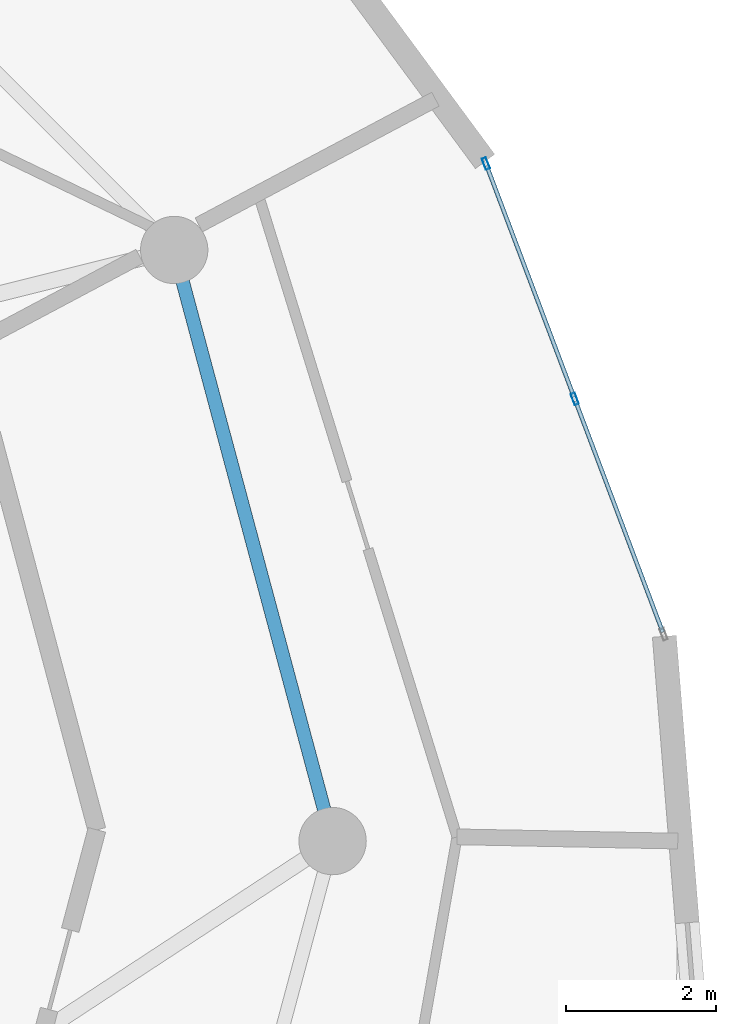
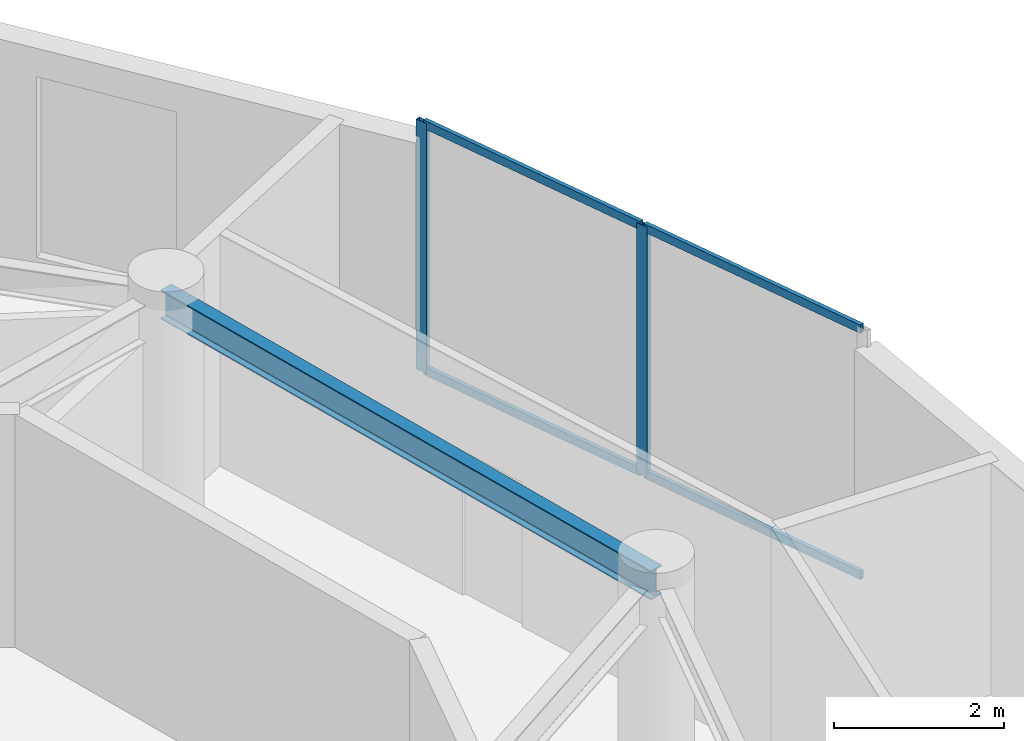
# One storey, part 12 of 20: 6 members, 1 beam, 1 element without a shape of its own.
"""IFC4 building model written with IfcOpenShell, lengths in metres."""

from ifc_helpers import new_model, si_unit, direction, frame, origin, origin_2d, place, context, subcontext, project, spatial, hollow_rectangle, i_section, extrude, source, transform, mapped, material, layer, layer_set, material_profile, profile_set, type_object, element, aggregate, save


model = new_model("IFC4")

# Units and contexts
model_context = context("Model", 3, precision=1e-05, world=origin(), true_north=direction((0.0, 1.0)))
body_context = subcontext(model_context, "Body", "Model", "MODEL_VIEW")
ifc_project = project(units=[si_unit("LENGTHUNIT", "METRE"), si_unit("AREAUNIT", "SQUARE_METRE"), si_unit("VOLUMEUNIT", "CUBIC_METRE"), si_unit("PLANEANGLEUNIT", "RADIAN"), si_unit("MASSUNIT", "GRAM", prefix="KILO")], contexts=[model_context])

# Site, building, storey
site_placement = place(None, origin())
site = spatial("IfcSite", under=ifc_project, at=site_placement, CompositionType="ELEMENT")
building_placement = place(site_placement, origin())
building = spatial("IfcBuilding", under=site, at=building_placement, Name="Solvirekh Grand Hotel", CompositionType="ELEMENT")
storey_placement = place(building_placement, frame((0.0, 0.0, 194.800048828125)))
storey = spatial("IfcBuildingStorey", under=building, at=storey_placement, Name="L50", CompositionType="ELEMENT", Elevation=194.800048828125)

# Beam
ifc_material_1 = material(Name="Steel S355", Category="steel")
ifc_material_profile_1 = material_profile(ifc_material_1, i_section(OverallWidth=0.180908203125, OverallDepth=0.4169921875, WebThickness=0.010009765625, FlangeThickness=0.01611328125, FilletRadius=0.011962890625, at=origin_2d()), Name="W410X85")
ifc_profile_set_1 = profile_set([ifc_material_profile_1], Name="Steel S355")
beam_type = type_object("IfcBeamType", Name="Spandrel_Ring_W410", PredefinedType="SPANDREL", material=ifc_profile_set_1)
beam_placement = place(storey_placement, frame((15.800048828125, 0.0, 3.15185546875), z_axis=(-0.258838541915, 0.965920601923, 0.0), x_axis=(-0.965920601923, -0.258838541915, 0.0)))
element("IfcBeam", 1, at=beam_placement, inside=storey, type_object=beam_type, Name="L50 perimeter spandrel beam 1", PredefinedType="SPANDREL", context=body_context, shape_type="SweptSolid", body=[
    extrude(i_section(OverallWidth=0.180908203125, OverallDepth=0.4169921875, WebThickness=0.010009765625, FlangeThickness=0.01611328125, FilletRadius=0.011962890625, at=origin_2d()), origin(), (0.0, 0.0, 1.0), 8.1787109375),
])

# Curtain wall, members
ifc_material_2 = material(Name="Anodized Bronze Aluminium 6063-T6", Category="aluminium")
ifc_layer = layer(ifc_material_2, 0.159912109375)
ifc_layer_set = layer_set([ifc_layer], Name="Anodized Bronze Aluminium 6063-T6")
curtain_wall_type = type_object("IfcCurtainWallType", Name="CW_Sys4_HighZoneFlushBronzeCW", PredefinedType="NOTDEFINED", material=ifc_layer_set)
curtain_wall_placement = place(storey_placement, origin())
curtain_wall = element("IfcCurtainWall", 2, at=curtain_wall_placement, inside=storey, type_object=curtain_wall_type, Name="L50 unitised bronze-glass curtain wall CW-L50-C05", PredefinedType="NOTDEFINED")
ifc_material_profile_2 = material_profile(ifc_material_2, hollow_rectangle(XDim=0.06005859375, YDim=0.159912109375, WallThickness=0.0048828125, at=origin_2d()), Name="ALU RHS 160X60X5")
ifc_profile_set_2 = profile_set([ifc_material_profile_2], Name="Anodized Bronze Aluminium 6063-T6")
member_type_1 = type_object("IfcMemberType", Name="CWMullion_Sys4", PredefinedType="MULLION", material=ifc_profile_set_2)
shared_shape_1 = source(origin(), body_context, "Body", "SweptSolid", [
    extrude(hollow_rectangle(XDim=0.06005859375, YDim=0.159912109375, WallThickness=0.0048828125, at=origin_2d()), origin(), (0.0, 0.0, 1.0), 3.599853515625),
])
member_1_placement = place(storey_placement, frame((19.035888671875, 5.909423828125, 0.0), z_axis=(0.0, 0.0, 1.0), x_axis=(-0.935557615208, -0.353174105261, 0.0)))
member_1 = element("IfcMember", 3, at=member_1_placement, type_object=member_type_1, Name="U04 mullion 2", PredefinedType="MULLION", context=body_context, shape_type="MappedRepresentation", body=[
    mapped(shared_shape_1, transform((0.0, 0.0, 0.0), x_axis=(1.0, 0.0, 0.0), y_axis=(0.0, 1.0, 0.0), z_axis=(0.0, 0.0, 1.0), scale=1.0)),
])
member_2_placement = place(storey_placement, frame((17.8486328125, 9.054931640625, 0.0), z_axis=(0.0, 0.0, 1.0), x_axis=(-0.935557615208, -0.353174105261, 0.0)))
member_2 = element("IfcMember", 4, at=member_2_placement, type_object=member_type_1, Name="U04 mullion 3", PredefinedType="MULLION", context=body_context, shape_type="MappedRepresentation", body=[
    mapped(shared_shape_1, transform((0.0, 0.0, 0.0), x_axis=(1.0, 0.0, 0.0), y_axis=(0.0, 1.0, 0.0), z_axis=(0.0, 0.0, 1.0), scale=1.0)),
])
ifc_material_profile_3 = material_profile(ifc_material_2, hollow_rectangle(XDim=0.054931640625, YDim=0.1201171875, WallThickness=0.00390625, at=origin_2d()), Name="ALU RHS 120X55X4")
ifc_profile_set_3 = profile_set([ifc_material_profile_3], Name="Anodized Bronze Aluminium 6063-T6")
member_type_2 = type_object("IfcMemberType", Name="CWTransom_Sys4", PredefinedType="USERDEFINED", material=ifc_profile_set_3)
shared_shape_2 = source(origin(), body_context, "Body", "SweptSolid", [
    extrude(hollow_rectangle(XDim=0.054931640625, YDim=0.1201171875, WallThickness=0.00390625, at=origin_2d()), origin(), (0.0, 0.0, 1.0), 3.302001953125),
])
member_3_placement = place(storey_placement, frame((20.212890625, 2.792236328125, 0.02734375), z_axis=(-0.353205010159, 0.935545947989, 0.0), x_axis=(-0.935545947989, -0.353205010159, 0.0)))
member_3 = element("IfcMember", 5, at=member_3_placement, type_object=member_type_2, Name="U04 transom 1.1", ObjectType="TRANSOM", PredefinedType="USERDEFINED", context=body_context, shape_type="MappedRepresentation", body=[
    mapped(shared_shape_2, transform((0.0, 0.0, 0.0), x_axis=(1.0, 0.0, 0.0), y_axis=(0.0, 1.0, 0.0), z_axis=(0.0, 0.0, 1.0), scale=1.0)),
])
member_4_placement = place(storey_placement, frame((20.212890625, 2.792236328125, 3.572509765625), z_axis=(-0.353205010159, 0.935545947989, 0.0), x_axis=(-0.935545947989, -0.353205010159, 0.0)))
member_4 = element("IfcMember", 6, at=member_4_placement, type_object=member_type_2, Name="U04 transom 1.2", ObjectType="TRANSOM", PredefinedType="USERDEFINED", context=body_context, shape_type="MappedRepresentation", body=[
    mapped(shared_shape_2, transform((0.0, 0.0, 0.0), x_axis=(1.0, 0.0, 0.0), y_axis=(0.0, 1.0, 0.0), z_axis=(0.0, 0.0, 1.0), scale=1.0)),
])
shared_shape_3 = source(origin(), body_context, "Body", "SweptSolid", [
    extrude(hollow_rectangle(XDim=0.054931640625, YDim=0.1201171875, WallThickness=0.00390625, at=origin_2d()), origin(), (0.0, 0.0, 1.0), 3.30224609375),
])
member_5_placement = place(storey_placement, frame((19.025390625, 5.9375, 0.02734375), z_axis=(-0.353180579471, 0.93555517116, 0.0), x_axis=(-0.93555517116, -0.353180579471, 0.0)))
member_5 = element("IfcMember", 7, at=member_5_placement, type_object=member_type_2, Name="U04 transom 2.1", ObjectType="TRANSOM", PredefinedType="USERDEFINED", context=body_context, shape_type="MappedRepresentation", body=[
    mapped(shared_shape_3, transform((0.0, 0.0, 0.0), x_axis=(1.0, 0.0, 0.0), y_axis=(0.0, 1.0, 0.0), z_axis=(0.0, 0.0, 1.0), scale=1.0)),
])
member_6_placement = place(storey_placement, frame((19.025390625, 5.9375, 3.572509765625), z_axis=(-0.353180579471, 0.93555517116, 0.0), x_axis=(-0.93555517116, -0.353180579471, 0.0)))
member_6 = element("IfcMember", 8, at=member_6_placement, type_object=member_type_2, Name="U04 transom 2.2", ObjectType="TRANSOM", PredefinedType="USERDEFINED", context=body_context, shape_type="MappedRepresentation", body=[
    mapped(shared_shape_3, transform((0.0, 0.0, 0.0), x_axis=(1.0, 0.0, 0.0), y_axis=(0.0, 1.0, 0.0), z_axis=(0.0, 0.0, 1.0), scale=1.0)),
])
aggregate(curtain_wall, [member_1, member_2, member_3, member_4, member_5, member_6])

save(model, "model.ifc")
